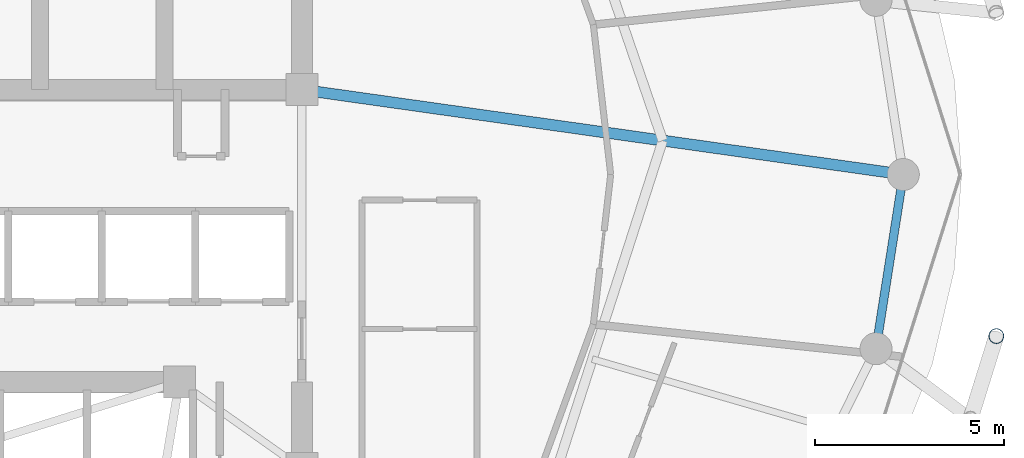
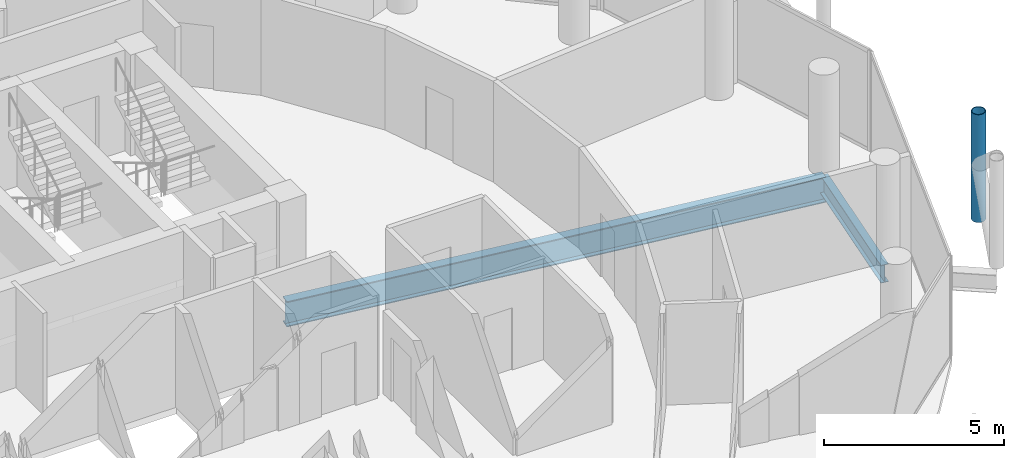
# One storey, part 14 of 27: 2 beams, 1 member.
"""IFC4 building model written with IfcOpenShell, lengths in metres."""

from ifc_helpers import new_model, si_unit, direction, frame, origin, origin_2d, place, context, subcontext, project, spatial, hollow_circle, i_section, extrude, material, material_profile, profile_set, type_object, element, save


model = new_model("IFC4")

# Units and contexts
model_context = context("Model", 3, precision=1e-05, world=origin(), true_north=direction((0.0, 1.0)))
body_context = subcontext(model_context, "Body", "Model", "MODEL_VIEW")
ifc_project = project(units=[si_unit("LENGTHUNIT", "METRE"), si_unit("AREAUNIT", "SQUARE_METRE"), si_unit("VOLUMEUNIT", "CUBIC_METRE"), si_unit("PLANEANGLEUNIT", "RADIAN"), si_unit("MASSUNIT", "GRAM", prefix="KILO")], contexts=[model_context])

# Site, building, storey
site_placement = place(None, origin())
site = spatial("IfcSite", under=ifc_project, at=site_placement, CompositionType="ELEMENT")
building_placement = place(site_placement, origin())
building = spatial("IfcBuilding", under=site, at=building_placement, Name="Nuhasar Tower", CompositionType="ELEMENT")
storey_placement = place(building_placement, frame((0.0, 0.0, 248.300048828125)))
storey = spatial("IfcBuildingStorey", under=building, at=storey_placement, Name="L61", CompositionType="ELEMENT", Elevation=248.300048828125)

# Beams
ifc_material_1 = material(Name="Steel S355", Category="steel")
ifc_material_profile_1 = material_profile(ifc_material_1, i_section(OverallWidth=0.2919921875, OverallDepth=0.85888671875, WebThickness=0.01708984375, FlangeThickness=0.031005859375, at=origin_2d()), Name="W33X169")
ifc_profile_set_1 = profile_set([ifc_material_profile_1], Name="Steel S355")
beam_type_1 = type_object("IfcBeamType", Name="BM-POD-W33X169", PredefinedType="BEAM", material=ifc_profile_set_1)
beam_1_placement = place(storey_placement, frame((44.300048828125, 29.050048828125, -0.6689453125), z_axis=(0.990196233464, -0.139683281866, 0.0), x_axis=(0.139683281866, 0.990196233464, 0.0)))
element("IfcBeam", 1, at=beam_1_placement, inside=storey, type_object=beam_type_1, Name="L61 Radial Floor Girder 04", PredefinedType="BEAM", context=body_context, shape_type="SweptSolid", body=[
    extrude(i_section(OverallWidth=0.2919921875, OverallDepth=0.85888671875, WebThickness=0.01708984375, FlangeThickness=0.031005859375, at=origin_2d()), origin(), (0.0, 0.0, 1.0), 16.10791015625),
])
ifc_material_profile_2 = material_profile(ifc_material_1, i_section(OverallWidth=0.22802734375, OverallDepth=0.60791015625, WebThickness=0.01123046875, FlangeThickness=0.017333984375, at=origin_2d()), Name="W24X76")
ifc_profile_set_2 = profile_set([ifc_material_profile_2], Name="Steel S355")
beam_type_2 = type_object("IfcBeamType", Name="BM-RING-W24X76", PredefinedType="SPANDREL", material=ifc_profile_set_2)
beam_2_placement = place(storey_placement, frame((59.52587890625, 22.179931640625, -0.5439453125), z_axis=(0.154841886404, 0.987939264436, 0.0), x_axis=(-0.987939264436, 0.154841886404, 0.0)))
element("IfcBeam", 2, at=beam_2_placement, inside=storey, type_object=beam_type_2, Name="L61 Perimeter Ring Spandrel 24", PredefinedType="SPANDREL", context=body_context, shape_type="SweptSolid", body=[
    extrude(i_section(OverallWidth=0.22802734375, OverallDepth=0.60791015625, WebThickness=0.01123046875, FlangeThickness=0.017333984375, at=origin_2d()), origin(), (0.0, 0.0, 1.0), 4.676513671875),
])

# Member
ifc_material_2 = material(Name="Steel S460", Category="steel")
ifc_material_profile_3 = material_profile(ifc_material_2, hollow_circle(Radius=0.203125, WallThickness=0.01904296875, at=origin_2d()), Name="HSS406.4X19.1")
ifc_profile_set_3 = profile_set([ifc_material_profile_3], Name="Steel S460")
member_type = type_object("IfcMemberType", Name="EXO-BRONZE-406", PredefinedType="BRACE", material=ifc_profile_set_3)
member_placement = place(storey_placement, frame((62.718017578125, 22.513916015625, 0.0), z_axis=(0.0, 0.0, 1.0), x_axis=(1.0, 0.0, 0.0)))
element("IfcMember", 3, at=member_placement, inside=storey, type_object=member_type, Name="L61 Exoskeleton Chord Column EC-12B", PredefinedType="BRACE", context=body_context, shape_type="SweptSolid", body=[
    extrude(hollow_circle(Radius=0.203125, WallThickness=0.01904296875, at=origin_2d()), origin(), (0.0, 0.0, 1.0), 3.64990234375),
])

save(model, "model.ifc")
